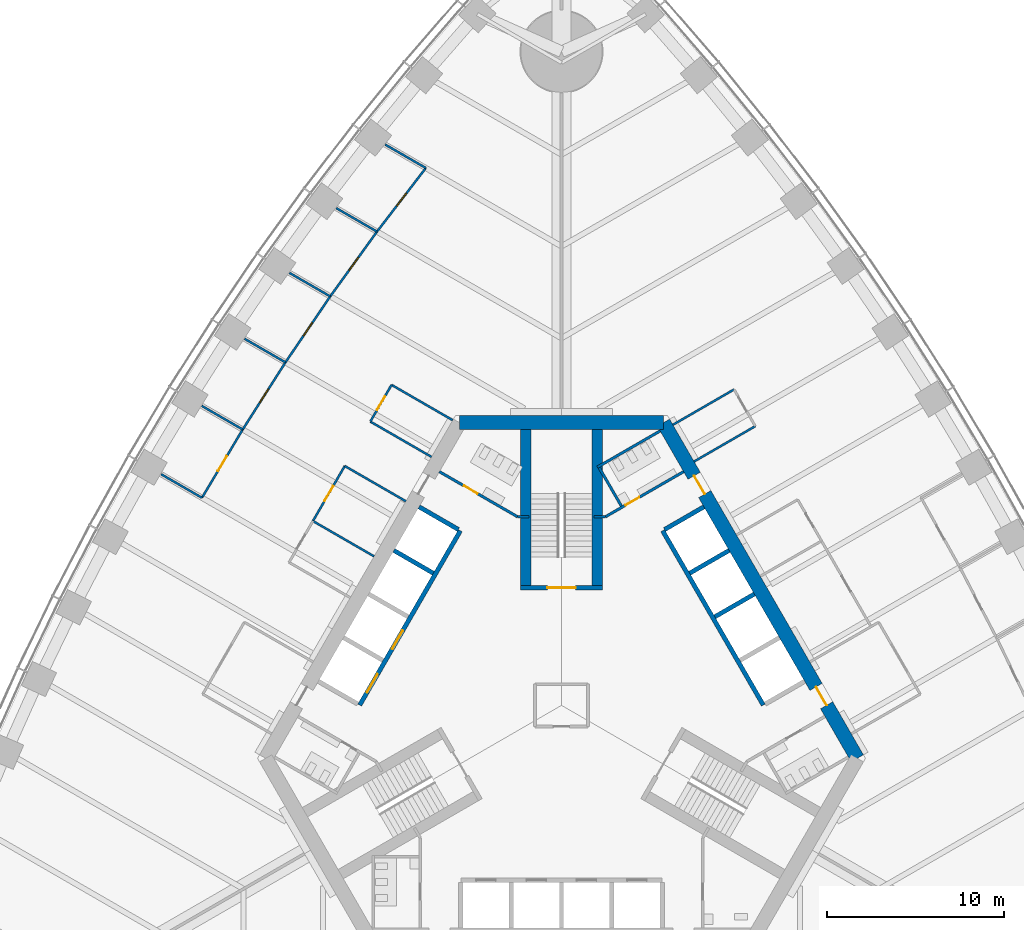
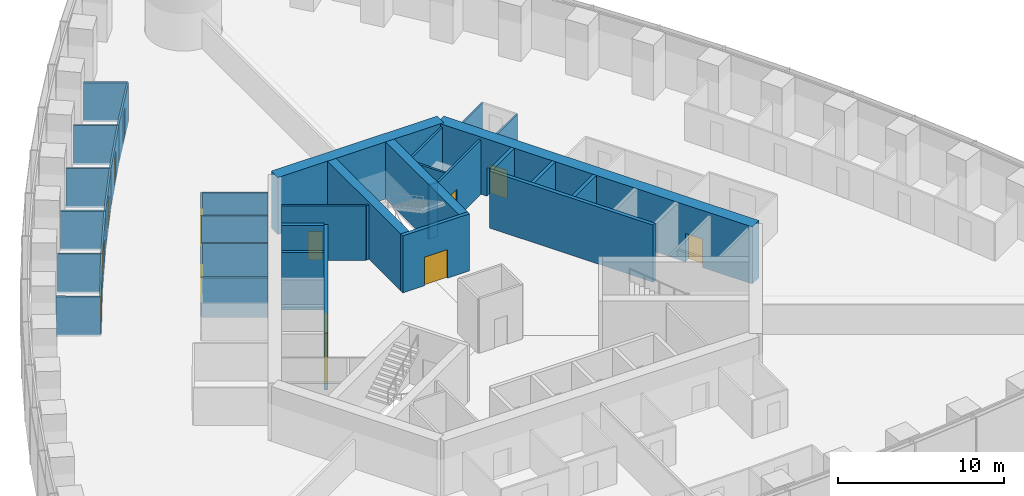
# One storey, part 12 of 18: 37 walls, 14 doors, 14 openings.
"""IFC4 building model written with IfcOpenShell, lengths in metres."""

from ifc_helpers import new_model, si_unit, direction, frame, frame_2d, origin, place, context, subcontext, project, spatial, rectangle, extrude, material, layer, layer_set, type_object, element, fill, save


model = new_model("IFC4")

# Units and contexts
model_context = context("Model", 3, precision=1e-05, world=origin(), true_north=direction((0.0, 1.0)))
body_context = subcontext(model_context, "Body", "Model", "MODEL_VIEW")
ifc_project = project(units=[si_unit("LENGTHUNIT", "METRE"), si_unit("AREAUNIT", "SQUARE_METRE"), si_unit("VOLUMEUNIT", "CUBIC_METRE"), si_unit("PLANEANGLEUNIT", "RADIAN"), si_unit("MASSUNIT", "GRAM", prefix="KILO")], contexts=[model_context])

# Site, building, storey
site_placement = place(None, origin())
site = spatial("IfcSite", under=ifc_project, at=site_placement, CompositionType="ELEMENT")
building_placement = place(site_placement, origin())
building = spatial("IfcBuilding", under=site, at=building_placement, Name="Trefoil Bronze Tower", CompositionType="ELEMENT")
storey_placement = place(building_placement, frame((0.0, 0.0, 29.10009765625)))
storey = spatial("IfcBuildingStorey", under=building, at=storey_placement, Name="L06", CompositionType="ELEMENT", Elevation=29.10009765625)

# Wall, openings, doors
ifc_material_1 = material(Name="Concrete B80", Category="concrete")
ifc_layer_1 = layer(ifc_material_1, 0.800048828125)
ifc_layer_set_1 = layer_set([ifc_layer_1], Name="Core wall 800")
wall_type_1 = type_object("IfcWallType", Name="Core wall 800", PredefinedType="SHEAR", material=ifc_layer_set_1)
wall_1_placement = place(storey_placement, frame((16.7431640625, -3.0, 0.0), z_axis=(0.0, 0.0, 1.0), x_axis=(-0.500002442456, 0.866023993627, 0.0)))
wall_1 = element("IfcWall", 1, at=wall_1_placement, inside=storey, type_object=wall_type_1, Name="Core long wall 2 L06", PredefinedType="SHEAR", context=body_context, shape_type="SweptSolid", body=[
    extrude(rectangle(XDim=21.939453125, YDim=0.800048828125, at=frame_2d((10.9697265625, 0.0))), origin(), (0.0, 0.0, 1.0), 4.199951171875),
])
opening_1_placement = place(wall_1_placement, frame((17.269775390625, 0.0, 0.0)))
opening_1 = element("IfcOpeningElement", 2, at=opening_1_placement, cuts=wall_1, Name="Opening D2", PredefinedType="OPENING", context=body_context, shape_type="SweptSolid", body=[
    extrude(rectangle(XDim=1.199951171875, YDim=2.10009765625, at=frame_2d((0.60009765625, 1.050048828125))), frame((0.0, 0.409912109375, 0.0), z_axis=(0.0, -1.0, 0.0), x_axis=(1.0, 0.0, 0.0)), (0.0, 0.0, 1.0), 0.820068359375),
])
opening_2_placement = place(wall_1_placement, frame((3.4697265625, 0.0, 0.0)))
opening_2 = element("IfcOpeningElement", 3, at=opening_2_placement, cuts=wall_1, Name="Opening D2", PredefinedType="OPENING", context=body_context, shape_type="SweptSolid", body=[
    extrude(rectangle(XDim=1.199951171875, YDim=2.10009765625, at=frame_2d((0.60009765625, 1.050048828125))), frame((0.0, 0.409912109375, 0.0), z_axis=(0.0, -1.0, 0.0), x_axis=(1.0, 0.0, 0.0)), (0.0, 0.0, 1.0), 0.820068359375),
])
ifc_material_2 = material(Name="Steel door", Category="steel")
door_type_1 = type_object("IfcDoorType", Name="Lobby door 1200", OperationType="SINGLE_SWING_RIGHT", PredefinedType="DOOR", material=ifc_material_2)
door_1_placement = place(opening_1_placement, origin())
door_1 = element("IfcDoor", 4, at=door_1_placement, inside=storey, type_object=door_type_1, Name="Lobby door F2+ L06", OperationType="SINGLE_SWING_RIGHT", OverallHeight=2.10009765625, OverallWidth=1.199951171875, PredefinedType="DOOR", context=body_context, shape_type="SweptSolid", body=[
    extrude(rectangle(XDim=1.199951171875, YDim=2.10009765625, at=frame_2d((0.60009765625, 1.050048828125))), frame((0.0, 0.02490234375, 0.0), z_axis=(0.0, -1.0, 0.0), x_axis=(1.0, 0.0, 0.0)), (0.0, 0.0, 1.0), 0.050048828125),
])
fill(opening_1, door_1)
door_2_placement = place(opening_2_placement, origin())
door_2 = element("IfcDoor", 5, at=door_2_placement, inside=storey, type_object=door_type_1, Name="Lobby door F2- L06", OperationType="SINGLE_SWING_LEFT", OverallHeight=2.10009765625, OverallWidth=1.199951171875, PredefinedType="DOOR", context=body_context, shape_type="SweptSolid", body=[
    extrude(rectangle(XDim=1.199951171875, YDim=2.10009765625, at=frame_2d((0.60009765625, 1.050048828125))), frame((0.0, 0.02490234375, 0.0), z_axis=(0.0, -1.0, 0.0), x_axis=(1.0, 0.0, 0.0)), (0.0, 0.0, 1.0), 0.050048828125),
])
fill(opening_2, door_2)

# Walls
wall_2_placement = place(storey_placement, frame((5.7734375, 16.0, 0.0), z_axis=(0.0, 0.0, 1.0), x_axis=(-1.0, 0.0, 0.0)))
element("IfcWall", 6, at=wall_2_placement, inside=storey, type_object=wall_type_1, Name="Core short wall 2 L06", PredefinedType="SHEAR", context=body_context, shape_type="SweptSolid", body=[
    extrude(rectangle(XDim=11.546875, YDim=0.800048828125, at=frame_2d((5.7734375, 0.0))), origin(), (0.0, 0.0, 1.0), 4.199951171875),
])
ifc_material_3 = material(Name="Glazed partition", Category="glass")
ifc_layer_2 = layer(ifc_material_3, 0.1201171875)
ifc_layer_set_2 = layer_set([ifc_layer_2], Name="Glazed partition 120")
wall_type_2 = type_object("IfcWallType", Name="Glazed partition 120", PredefinedType="PARTITIONING", material=ifc_layer_set_2)
for number, where, z_axis, x_axis, name in (
    (7, (6.3046875, 15.8798828125, 0.0), (0.0, 0.0, 1.0), (0.866026010844, 0.49999894854, 0.0), "Partition F2 L06"),
    (8, (7.504638671875, 13.801513671875, 0.0), (0.0, 0.0, 1.0), (0.866026010844, 0.49999894854, 0.0), "Partition F2 L06"),
):
    element("IfcWall", number, at=place(storey_placement, frame(where, z_axis=z_axis, x_axis=x_axis)), inside=storey, type_object=wall_type_2, Name=name, PredefinedType="PARTITIONING", context=body_context, shape_type="SweptSolid", body=[
        extrude(rectangle(XDim=4.0, YDim=0.1201171875, at=frame_2d((2.0, 0.0))), origin(), (0.0, 0.0, 1.0), 2.89990234375),
    ])

# Wall, opening, door
wall_3_placement = place(storey_placement, frame((-9.618896484375, 18.1396484375, 0.0), z_axis=(0.0, 0.0, 1.0), x_axis=(-0.500001309137, -0.866024647952, 0.0)))
wall_3 = element("IfcWall", 9, at=wall_3_placement, inside=storey, type_object=wall_type_2, Name="Partition F3 L06", PredefinedType="PARTITIONING", context=body_context, shape_type="SweptSolid", body=[
    extrude(rectangle(XDim=2.39990234375, YDim=0.1201171875, at=frame_2d((1.199951171875, 0.0))), origin(), (0.0, 0.0, 1.0), 2.89990234375),
])
opening_3_placement = place(wall_3_placement, frame((0.75, 0.0, 0.14990234375)))
opening_3 = element("IfcOpeningElement", 10, at=opening_3_placement, cuts=wall_3, Name="Opening D8", PredefinedType="OPENING", context=body_context, shape_type="SweptSolid", body=[
    extrude(rectangle(XDim=0.89990234375, YDim=2.10009765625, at=frame_2d((0.449951171875, 1.050048828125))), frame((0.0, 0.070068359375, 0.0), z_axis=(0.0, -1.0, 0.0), x_axis=(1.0, 0.0, 0.0)), (0.0, 0.0, 1.0), 0.14013671875),
])
ifc_material_4 = material(Name="Timber door", Category="wood")
door_type_2 = type_object("IfcDoorType", Name="Office door 900", OperationType="SINGLE_SWING_LEFT", PredefinedType="DOOR", material=ifc_material_4)
door_3_placement = place(opening_3_placement, origin())
door_3 = element("IfcDoor", 11, at=door_3_placement, inside=storey, type_object=door_type_2, Name="Comms room door F3 L06", OperationType="SINGLE_SWING_RIGHT", OverallHeight=2.10009765625, OverallWidth=0.89990234375, PredefinedType="DOOR", context=body_context, shape_type="SweptSolid", body=[
    extrude(rectangle(XDim=0.89990234375, YDim=2.10009765625, at=frame_2d((0.449951171875, 1.050048828125))), frame((0.0, 0.02490234375, 0.0), z_axis=(0.0, -1.0, 0.0), x_axis=(1.0, 0.0, 0.0)), (0.0, 0.0, 1.0), 0.050048828125),
])
fill(opening_3, door_3)

wall_4_placement = place(storey_placement, frame((-12.268798828125, 13.5498046875, 0.0), z_axis=(0.0, 0.0, 1.0), x_axis=(-0.500012057535, -0.866018442252, 0.0)))
wall_4 = element("IfcWall", 12, at=wall_4_placement, inside=storey, type_object=wall_type_2, Name="Partition F3 L06", PredefinedType="PARTITIONING", context=body_context, shape_type="SweptSolid", body=[
    extrude(rectangle(XDim=3.60009765625, YDim=0.1201171875, at=frame_2d((1.800048828125, 0.0))), origin(), (0.0, 0.0, 1.0), 2.89990234375),
])
opening_4_placement = place(wall_4_placement, frame((1.300048828125, 0.0, 0.14990234375)))
opening_4 = element("IfcOpeningElement", 13, at=opening_4_placement, cuts=wall_4, Name="Opening D9", PredefinedType="OPENING", context=body_context, shape_type="SweptSolid", body=[
    extrude(rectangle(XDim=1.0, YDim=2.10009765625, at=frame_2d((0.5, 1.050048828125))), frame((0.0, 0.070068359375, 0.0), z_axis=(0.0, -1.0, 0.0), x_axis=(1.0, 0.0, 0.0)), (0.0, 0.0, 1.0), 0.14013671875),
])
ifc_material_5 = material(Name="Glazed timber door", Category="wood")
door_type_3 = type_object("IfcDoorType", Name="Meeting room door 1000", OperationType="SINGLE_SWING_LEFT", PredefinedType="DOOR", material=ifc_material_5)
door_4_placement = place(opening_4_placement, origin())
door_4 = element("IfcDoor", 14, at=door_4_placement, inside=storey, type_object=door_type_3, Name="Meeting room door F3 L06", OperationType="SINGLE_SWING_RIGHT", OverallHeight=2.10009765625, OverallWidth=1.0, PredefinedType="DOOR", context=body_context, shape_type="SweptSolid", body=[
    extrude(rectangle(XDim=1.0, YDim=2.10009765625, at=frame_2d((0.5, 1.050048828125))), frame((0.0, 0.02490234375, 0.0), z_axis=(0.0, -1.0, 0.0), x_axis=(1.0, 0.0, 0.0)), (0.0, 0.0, 1.0), 0.050048828125),
])
fill(opening_4, door_4)

# Walls
for number, where, z_axis, x_axis, name in (
    (15, (-6.15478515625, 16.1396484375, 0.0), (0.0, 0.0, 1.0), (-0.866026010844, 0.49999894854, 0.0), "Partition F3 L06"),
    (16, (-10.604736328125, 8.43212890625, 0.0), (0.0, 0.0, 1.0), (-0.866026010844, 0.49999894854, 0.0), "Partition F3 L06"),
    (17, (-8.8046875, 11.5498046875, 0.0), (0.0, 0.0, 1.0), (-0.866026010844, 0.49999894854, 0.0), "Partition F3 L06"),
    (18, (-7.354736328125, 14.061279296875, 0.0), (0.0, 0.0, 1.0), (-0.866026010844, 0.49999894854, 0.0), "Partition F3 L06"),
):
    element("IfcWall", number, at=place(storey_placement, frame(where, z_axis=z_axis, x_axis=x_axis)), inside=storey, type_object=wall_type_2, Name=name, PredefinedType="PARTITIONING", context=body_context, shape_type="SweptSolid", body=[
        extrude(rectangle(XDim=4.0, YDim=0.1201171875, at=frame_2d((2.0, 0.0))), origin(), (0.0, 0.0, 1.0), 2.89990234375),
    ])

# Wall, opening, door
wall_5_placement = place(storey_placement, frame((-13.090576171875, 23.146240234375, 0.0), z_axis=(0.0, 0.0, 1.0), x_axis=(-0.561512004239, -0.827468591002, 0.0)))
wall_5 = element("IfcWall", 19, at=wall_5_placement, inside=storey, type_object=wall_type_2, Name="Partition F3 L06", PredefinedType="PARTITIONING", context=body_context, shape_type="SweptSolid", body=[
    extrude(rectangle(XDim=4.51171875, YDim=0.1201171875, at=frame_2d((2.255859375, 0.0))), origin(), (0.0, 0.0, 1.0), 2.89990234375),
])
opening_5_placement = place(wall_5_placement, frame((1.800048828125, 0.0, 0.14990234375)))
opening_5 = element("IfcOpeningElement", 20, at=opening_5_placement, cuts=wall_5, Name="Opening D8", PredefinedType="OPENING", context=body_context, shape_type="SweptSolid", body=[
    extrude(rectangle(XDim=0.89990234375, YDim=2.10009765625, at=frame_2d((0.449951171875, 1.050048828125))), frame((0.0, 0.070068359375, 0.0), z_axis=(0.0, -1.0, 0.0), x_axis=(1.0, 0.0, 0.0)), (0.0, 0.0, 1.0), 0.14013671875),
])
door_5_placement = place(opening_5_placement, frame((0.89990234375, 0.0, 0.0), z_axis=(0.0, 0.0, 1.0), x_axis=(-1.0, 0.0, 0.0)))
door_5 = element("IfcDoor", 21, at=door_5_placement, inside=storey, type_object=door_type_2, Name="Office door F3 L06", OperationType="SINGLE_SWING_RIGHT", OverallHeight=2.10009765625, OverallWidth=0.89990234375, PredefinedType="DOOR", context=body_context, shape_type="SweptSolid", body=[
    extrude(rectangle(XDim=0.89990234375, YDim=2.10009765625, at=frame_2d((0.449951171875, 1.050048828125))), frame((0.0, 0.02490234375, 0.0), z_axis=(0.0, -1.0, 0.0), x_axis=(1.0, 0.0, 0.0)), (0.0, 0.0, 1.0), 0.050048828125),
])
fill(opening_5, door_5)

wall_6_placement = place(storey_placement, frame((-10.44287109375, 26.813720703125, 0.0), z_axis=(0.0, 0.0, 1.0), x_axis=(-0.58534077607, -0.810787380187, 0.0)))
wall_6 = element("IfcWall", 22, at=wall_6_placement, inside=storey, type_object=wall_type_2, Name="Partition F3 L06", PredefinedType="PARTITIONING", context=body_context, shape_type="SweptSolid", body=[
    extrude(rectangle(XDim=4.5234375, YDim=0.1201171875, at=frame_2d((2.26171875, 0.0))), origin(), (0.0, 0.0, 1.0), 2.89990234375),
])
opening_6_placement = place(wall_6_placement, frame((1.800048828125, 0.0, 0.14990234375)))
opening_6 = element("IfcOpeningElement", 23, at=opening_6_placement, cuts=wall_6, Name="Opening D8", PredefinedType="OPENING", context=body_context, shape_type="SweptSolid", body=[
    extrude(rectangle(XDim=0.89990234375, YDim=2.10009765625, at=frame_2d((0.449951171875, 1.050048828125))), frame((0.0, 0.070068359375, 0.0), z_axis=(0.0, -1.0, 0.0), x_axis=(1.0, 0.0, 0.0)), (0.0, 0.0, 1.0), 0.14013671875),
])
door_6_placement = place(opening_6_placement, frame((0.89990234375, 0.0, 0.0), z_axis=(0.0, 0.0, 1.0), x_axis=(-1.0, 0.0, 0.0)))
door_6 = element("IfcDoor", 24, at=door_6_placement, inside=storey, type_object=door_type_2, Name="Office door F3 L06", OperationType="SINGLE_SWING_RIGHT", OverallHeight=2.10009765625, OverallWidth=0.89990234375, PredefinedType="DOOR", context=body_context, shape_type="SweptSolid", body=[
    extrude(rectangle(XDim=0.89990234375, YDim=2.10009765625, at=frame_2d((0.449951171875, 1.050048828125))), frame((0.0, 0.02490234375, 0.0), z_axis=(0.0, -1.0, 0.0), x_axis=(1.0, 0.0, 0.0)), (0.0, 0.0, 1.0), 0.050048828125),
])
fill(opening_6, door_6)

wall_7_placement = place(storey_placement, frame((-7.679443359375, 30.41455078125, 0.0), z_axis=(0.0, 0.0, 1.0), x_axis=(-0.608818785139, -0.79330932609, 0.0)))
wall_7 = element("IfcWall", 25, at=wall_7_placement, inside=storey, type_object=wall_type_2, Name="Partition F3 L06", PredefinedType="PARTITIONING", context=body_context, shape_type="SweptSolid", body=[
    extrude(rectangle(XDim=4.5390625, YDim=0.1201171875, at=frame_2d((2.26953125, 0.0))), origin(), (0.0, 0.0, 1.0), 2.89990234375),
])
opening_7_placement = place(wall_7_placement, frame((1.800048828125, 0.0, 0.14990234375)))
opening_7 = element("IfcOpeningElement", 26, at=opening_7_placement, cuts=wall_7, Name="Opening D8", PredefinedType="OPENING", context=body_context, shape_type="SweptSolid", body=[
    extrude(rectangle(XDim=0.89990234375, YDim=2.10009765625, at=frame_2d((0.449951171875, 1.050048828125))), frame((0.0, 0.070068359375, 0.0), z_axis=(0.0, -1.0, 0.0), x_axis=(1.0, 0.0, 0.0)), (0.0, 0.0, 1.0), 0.14013671875),
])
door_7_placement = place(opening_7_placement, frame((0.89990234375, 0.0, 0.0), z_axis=(0.0, 0.0, 1.0), x_axis=(-1.0, 0.0, 0.0)))
door_7 = element("IfcDoor", 27, at=door_7_placement, inside=storey, type_object=door_type_2, Name="Office door F3 L06", OperationType="SINGLE_SWING_RIGHT", OverallHeight=2.10009765625, OverallWidth=0.89990234375, PredefinedType="DOOR", context=body_context, shape_type="SweptSolid", body=[
    extrude(rectangle(XDim=0.89990234375, YDim=2.10009765625, at=frame_2d((0.449951171875, 1.050048828125))), frame((0.0, 0.02490234375, 0.0), z_axis=(0.0, -1.0, 0.0), x_axis=(1.0, 0.0, 0.0)), (0.0, 0.0, 1.0), 0.050048828125),
])
fill(opening_7, door_7)

wall_8_placement = place(storey_placement, frame((-18.0439453125, 15.61376953125, 0.0), z_axis=(0.0, 0.0, 1.0), x_axis=(-0.51252396108, -0.858672923364, 0.0)))
wall_8 = element("IfcWall", 28, at=wall_8_placement, inside=storey, type_object=wall_type_2, Name="Partition F3 L06", PredefinedType="PARTITIONING", context=body_context, shape_type="SweptSolid", body=[
    extrude(rectangle(XDim=4.50048828125, YDim=0.1201171875, at=frame_2d((2.250244140625, 0.0))), origin(), (0.0, 0.0, 1.0), 2.89990234375),
])
opening_8_placement = place(wall_8_placement, frame((1.75, 0.0, 0.14990234375)))
opening_8 = element("IfcOpeningElement", 29, at=opening_8_placement, cuts=wall_8, Name="Opening D9", PredefinedType="OPENING", context=body_context, shape_type="SweptSolid", body=[
    extrude(rectangle(XDim=1.0, YDim=2.10009765625, at=frame_2d((0.5, 1.050048828125))), frame((0.0, 0.070068359375, 0.0), z_axis=(0.0, -1.0, 0.0), x_axis=(1.0, 0.0, 0.0)), (0.0, 0.0, 1.0), 0.14013671875),
])
door_8_placement = place(opening_8_placement, frame((1.0, 0.0, 0.0), z_axis=(0.0, 0.0, 1.0), x_axis=(-1.0, 0.0, 0.0)))
door_8 = element("IfcDoor", 30, at=door_8_placement, inside=storey, type_object=door_type_3, Name="Meeting room door F3 L06", OperationType="SINGLE_SWING_RIGHT", OverallHeight=2.10009765625, OverallWidth=1.0, PredefinedType="DOOR", context=body_context, shape_type="SweptSolid", body=[
    extrude(rectangle(XDim=1.0, YDim=2.10009765625, at=frame_2d((0.5, 1.050048828125))), frame((0.0, 0.02490234375, 0.0), z_axis=(0.0, -1.0, 0.0), x_axis=(1.0, 0.0, 0.0)), (0.0, 0.0, 1.0), 0.050048828125),
])
fill(opening_8, door_8)

wall_9_placement = place(storey_placement, frame((-15.6240234375, 19.412841796875, 0.0), z_axis=(0.0, 0.0, 1.0), x_axis=(-0.537243691336, -0.843427066272, 0.0)))
wall_9 = element("IfcWall", 31, at=wall_9_placement, inside=storey, type_object=wall_type_2, Name="Partition F3 L06", PredefinedType="PARTITIONING", context=body_context, shape_type="SweptSolid", body=[
    extrude(rectangle(XDim=4.50439453125, YDim=0.1201171875, at=frame_2d((2.252197265625, 0.0))), origin(), (0.0, 0.0, 1.0), 2.89990234375),
])
opening_9_placement = place(wall_9_placement, frame((1.800048828125, 0.0, 0.14990234375)))
opening_9 = element("IfcOpeningElement", 32, at=opening_9_placement, cuts=wall_9, Name="Opening D8", PredefinedType="OPENING", context=body_context, shape_type="SweptSolid", body=[
    extrude(rectangle(XDim=0.89990234375, YDim=2.10009765625, at=frame_2d((0.449951171875, 1.050048828125))), frame((0.0, 0.070068359375, 0.0), z_axis=(0.0, -1.0, 0.0), x_axis=(1.0, 0.0, 0.0)), (0.0, 0.0, 1.0), 0.14013671875),
])
door_9_placement = place(opening_9_placement, frame((0.89990234375, 0.0, 0.0), z_axis=(0.0, 0.0, 1.0), x_axis=(-1.0, 0.0, 0.0)))
door_9 = element("IfcDoor", 33, at=door_9_placement, inside=storey, type_object=door_type_2, Name="Office door F3 L06", OperationType="SINGLE_SWING_RIGHT", OverallHeight=2.10009765625, OverallWidth=0.89990234375, PredefinedType="DOOR", context=body_context, shape_type="SweptSolid", body=[
    extrude(rectangle(XDim=0.89990234375, YDim=2.10009765625, at=frame_2d((0.449951171875, 1.050048828125))), frame((0.0, 0.02490234375, 0.0), z_axis=(0.0, -1.0, 0.0), x_axis=(1.0, 0.0, 0.0)), (0.0, 0.0, 1.0), 0.050048828125),
])
fill(opening_9, door_9)

# Walls
wall_10_placement = place(storey_placement, frame((-20.3505859375, 11.749267578125, 0.0), z_axis=(0.0, 0.0, 1.0), x_axis=(-0.865989150234, 0.500062787734, 0.0)))
element("IfcWall", 34, at=wall_10_placement, inside=storey, type_object=wall_type_2, Name="Partition F3 L06", PredefinedType="PARTITIONING", context=body_context, shape_type="SweptSolid", body=[
    extrude(rectangle(XDim=2.670166015625, YDim=0.1201171875, at=frame_2d((1.3349609375, 0.0))), origin(), (0.0, 0.0, 1.0), 2.89990234375),
])
wall_11_placement = place(storey_placement, frame((-13.090576171875, 23.146240234375, 0.0), z_axis=(0.0, 0.0, 1.0), x_axis=(-0.866023818221, 0.500002746266, 0.0)))
element("IfcWall", 35, at=wall_11_placement, inside=storey, type_object=wall_type_2, Name="Partition F3 L06", PredefinedType="PARTITIONING", context=body_context, shape_type="SweptSolid", body=[
    extrude(rectangle(XDim=2.6640625, YDim=0.1201171875, at=frame_2d((1.33203125, 0.0))), origin(), (0.0, 0.0, 1.0), 2.89990234375),
])
wall_12_placement = place(storey_placement, frame((-10.44287109375, 26.813720703125, 0.0), z_axis=(0.0, 0.0, 1.0), x_axis=(-0.866031171652, 0.499990009627, 0.0)))
element("IfcWall", 36, at=wall_12_placement, inside=storey, type_object=wall_type_2, Name="Partition F3 L06", PredefinedType="PARTITIONING", context=body_context, shape_type="SweptSolid", body=[
    extrude(rectangle(XDim=2.6591796875, YDim=0.1201171875, at=frame_2d((1.32958984375, 0.0))), origin(), (0.0, 0.0, 1.0), 2.89990234375),
])
wall_13_placement = place(storey_placement, frame((-7.679443359375, 30.41455078125, 0.0), z_axis=(0.0, 0.0, 1.0), x_axis=(-0.866026229868, 0.499998569178, 0.0)))
element("IfcWall", 37, at=wall_13_placement, inside=storey, type_object=wall_type_2, Name="Partition F3 L06", PredefinedType="PARTITIONING", context=body_context, shape_type="SweptSolid", body=[
    extrude(rectangle(XDim=2.6533203125, YDim=0.1201171875, at=frame_2d((1.32666015625, 0.0))), origin(), (0.0, 0.0, 1.0), 2.89990234375),
])
wall_14_placement = place(storey_placement, frame((-18.0439453125, 15.61376953125, 0.0), z_axis=(0.0, 0.0, 1.0), x_axis=(-0.866022619654, 0.500004822225, 0.0)))
element("IfcWall", 38, at=wall_14_placement, inside=storey, type_object=wall_type_2, Name="Partition F3 L06", PredefinedType="PARTITIONING", context=body_context, shape_type="SweptSolid", body=[
    extrude(rectangle(XDim=2.66943359375, YDim=0.1201171875, at=frame_2d((1.334716796875, 0.0))), origin(), (0.0, 0.0, 1.0), 2.89990234375),
])
wall_15_placement = place(storey_placement, frame((-15.6240234375, 19.412841796875, 0.0), z_axis=(0.0, 0.0, 1.0), x_axis=(-0.866020974757, 0.500007671222, 0.0)))
element("IfcWall", 39, at=wall_15_placement, inside=storey, type_object=wall_type_2, Name="Partition F3 L06", PredefinedType="PARTITIONING", context=body_context, shape_type="SweptSolid", body=[
    extrude(rectangle(XDim=2.66748046875, YDim=0.1201171875, at=frame_2d((1.333740234375, 0.0))), origin(), (0.0, 0.0, 1.0), 2.89990234375),
])

# Wall, opening, door
ifc_material_6 = material(Name="Gypsum board on steel studs", Category="steel")
ifc_layer_3 = layer(ifc_material_6, 0.14990234375)
ifc_layer_set_3 = layer_set([ifc_layer_3], Name="Partition 150")
wall_type_3 = type_object("IfcWallType", Name="Partition 150", PredefinedType="PARTITIONING", material=ifc_layer_set_3)
wall_16_placement = place(storey_placement, frame((2.4951171875, 10.67822265625, 0.0), z_axis=(0.0, 0.0, 1.0), x_axis=(0.86602216432, 0.500005610874, 0.0)))
wall_16 = element("IfcWall", 40, at=wall_16_placement, inside=storey, type_object=wall_type_3, Name="Passage wall F2+ L06", PredefinedType="PARTITIONING", context=body_context, shape_type="SweptSolid", body=[
    extrude(rectangle(XDim=5.10009765625, YDim=0.14990234375, at=frame_2d((2.550048828125, 0.0))), origin(), (0.0, 0.0, 1.0), 4.0),
])
opening_10_placement = place(wall_16_placement, frame((1.300048828125, 0.0, 0.0)))
opening_10 = element("IfcOpeningElement", 41, at=opening_10_placement, cuts=wall_16, Name="Opening D3", PredefinedType="OPENING", context=body_context, shape_type="SweptSolid", body=[
    extrude(rectangle(XDim=0.89990234375, YDim=2.10009765625, at=frame_2d((0.449951171875, 1.050048828125))), frame((0.0, 0.0849609375, 0.0), z_axis=(0.0, -1.0, 0.0), x_axis=(1.0, 0.0, 0.0)), (0.0, 0.0, 1.0), 0.169921875),
])
ifc_material_7 = material(Name="Timber door", Category="wood")
door_type_4 = type_object("IfcDoorType", Name="WC door 900", OperationType="SINGLE_SWING_LEFT", PredefinedType="DOOR", material=ifc_material_7)
door_10_placement = place(opening_10_placement, origin())
door_10 = element("IfcDoor", 42, at=door_10_placement, inside=storey, type_object=door_type_4, Name="WC (men) door L06", OperationType="SINGLE_SWING_LEFT", OverallHeight=2.10009765625, OverallWidth=0.89990234375, PredefinedType="DOOR", context=body_context, shape_type="SweptSolid", body=[
    extrude(rectangle(XDim=0.89990234375, YDim=2.10009765625, at=frame_2d((0.449951171875, 1.050048828125))), frame((0.0, 0.02490234375, 0.0), z_axis=(0.0, -1.0, 0.0), x_axis=(1.0, 0.0, 0.0)), (0.0, 0.0, 1.0), 0.050048828125),
])
fill(opening_10, door_10)

wall_17_placement = place(storey_placement, frame((-2.4951171875, 10.67822265625, 0.0), z_axis=(0.0, 0.0, 1.0), x_axis=(-0.86602216432, 0.500005610874, 0.0)))
wall_17 = element("IfcWall", 43, at=wall_17_placement, inside=storey, type_object=wall_type_3, Name="Passage wall F3- L06", PredefinedType="PARTITIONING", context=body_context, shape_type="SweptSolid", body=[
    extrude(rectangle(XDim=5.10009765625, YDim=0.14990234375, at=frame_2d((2.550048828125, 0.0))), origin(), (0.0, 0.0, 1.0), 4.0),
])
opening_11_placement = place(wall_17_placement, frame((2.60009765625, 0.0, 0.0)))
opening_11 = element("IfcOpeningElement", 44, at=opening_11_placement, cuts=wall_17, Name="Opening D3", PredefinedType="OPENING", context=body_context, shape_type="SweptSolid", body=[
    extrude(rectangle(XDim=0.89990234375, YDim=2.10009765625, at=frame_2d((0.449951171875, 1.050048828125))), frame((0.0, 0.0849609375, 0.0), z_axis=(0.0, -1.0, 0.0), x_axis=(1.0, 0.0, 0.0)), (0.0, 0.0, 1.0), 0.169921875),
])
door_11_placement = place(opening_11_placement, frame((0.89990234375, 0.0, 0.0), z_axis=(0.0, 0.0, 1.0), x_axis=(-1.0, 0.0, 0.0)))
door_11 = element("IfcDoor", 45, at=door_11_placement, inside=storey, type_object=door_type_4, Name="WC (women) door L06", OperationType="SINGLE_SWING_LEFT", OverallHeight=2.10009765625, OverallWidth=0.89990234375, PredefinedType="DOOR", context=body_context, shape_type="SweptSolid", body=[
    extrude(rectangle(XDim=0.89990234375, YDim=2.10009765625, at=frame_2d((0.449951171875, 1.050048828125))), frame((0.0, 0.02490234375, 0.0), z_axis=(0.0, -1.0, 0.0), x_axis=(1.0, 0.0, 0.0)), (0.0, 0.0, 1.0), 0.050048828125),
])
fill(opening_11, door_11)

# Walls
for number, where, z_axis, x_axis, name in (
    (46, (2.4951171875, 10.67822265625, 0.0), (0.0, 0.0, 1.0), (-1.0, 0.0, 0.0), "WC wall ST2-1 L06"),
    (47, (-2.4951171875, 10.67822265625, 0.0), (0.0, 0.0, 1.0), (1.0, 0.0, 0.0), "WC wall ST2+1 L06"),
):
    element("IfcWall", number, at=place(storey_placement, frame(where, z_axis=z_axis, x_axis=x_axis)), inside=storey, type_object=wall_type_3, Name=name, PredefinedType="PARTITIONING", context=body_context, shape_type="SweptSolid", body=[
        extrude(rectangle(XDim=0.64501953125, YDim=0.14990234375, at=frame_2d((0.322509765625, 0.0))), origin(), (0.0, 0.0, 1.0), 4.0),
    ])
wall_18_placement = place(storey_placement, frame((2.03125, 13.48193359375, 0.0), z_axis=(0.0, 0.0, 1.0), x_axis=(0.866050731258, 0.499956128963, 0.0)))
element("IfcWall", 48, at=wall_18_placement, inside=storey, type_object=wall_type_3, Name="WC partition WC (men) L06", PredefinedType="PARTITIONING", context=body_context, shape_type="SweptSolid", body=[
    extrude(rectangle(XDim=4.099853515625, YDim=0.14990234375, at=frame_2d((2.0498046875, 0.0))), origin(), (0.0, 0.0, 1.0), 4.0),
])
wall_19_placement = place(storey_placement, frame((3.388671875, 11.28076171875, 0.0), z_axis=(0.0, 0.0, 1.0), x_axis=(-0.499989096993, 0.866031698547, 0.0)))
element("IfcWall", 49, at=wall_19_placement, inside=storey, type_object=wall_type_3, Name="WC partition WC (men) L06", PredefinedType="PARTITIONING", context=body_context, shape_type="SweptSolid", body=[
    extrude(rectangle(XDim=2.509765625, YDim=0.14990234375, at=frame_2d((1.2548828125, 0.0))), origin(), (0.0, 0.0, 1.0), 4.0),
])
ifc_material_8 = material(Name="Concrete B80", Category="concrete")
ifc_layer_4 = layer(ifc_material_8, 0.25)
ifc_layer_set_4 = layer_set([ifc_layer_4], Name="Shaft wall 250")
wall_type_4 = type_object("IfcWallType", Name="Shaft wall 250", PredefinedType="SHEAR", material=ifc_layer_set_4)
wall_20_placement = place(storey_placement, frame((11.423583984375, 0.013671875, 0.0), z_axis=(0.0, 0.0, 1.0), x_axis=(-0.500001763848, 0.866024385424, 0.0)))
element("IfcWall", 50, at=wall_20_placement, inside=storey, type_object=wall_type_4, Name="Lift shaft front wall B L06", PredefinedType="SHEAR", context=body_context, shape_type="SweptSolid", body=[
    extrude(rectangle(XDim=11.39990234375, YDim=0.25, at=frame_2d((5.699951171875, 0.0))), origin(), (0.0, 0.0, 1.0), 4.199951171875),
])
for number, where, z_axis, x_axis, name in (
    (51, (8.681884765625, 5.012451171875, 0.0), (0.0, 0.0, 1.0), (0.866005588531, 0.500034319456, 0.0), "Lift shaft side wall B2 L06"),
    (52, (7.2568359375, 7.480712890625, 0.0), (0.0, 0.0, 1.0), (0.866046643894, 0.499963209246, 0.0), "Lift shaft side wall B3 L06"),
):
    element("IfcWall", number, at=place(storey_placement, frame(where, z_axis=z_axis, x_axis=x_axis)), inside=storey, type_object=wall_type_4, Name=name, PredefinedType="SHEAR", context=body_context, shape_type="SweptSolid", body=[
        extrude(rectangle(XDim=2.574951171875, YDim=0.25, at=frame_2d((1.28759765625, 0.0))), origin(), (0.0, 0.0, 1.0), 4.199951171875),
    ])
wall_21_placement = place(storey_placement, frame((5.831787109375, 9.94873046875, 0.0), z_axis=(0.0, 0.0, 1.0), x_axis=(0.866029291668, 0.499993265928, 0.0)))
element("IfcWall", 53, at=wall_21_placement, inside=storey, type_object=wall_type_4, Name="Lift shaft side wall B4 L06", PredefinedType="SHEAR", context=body_context, shape_type="SweptSolid", body=[
    extrude(rectangle(XDim=2.5751953125, YDim=0.25, at=frame_2d((1.28759765625, 0.0))), origin(), (0.0, 0.0, 1.0), 4.199951171875),
])

# Wall, openings, doors
wall_22_placement = place(storey_placement, frame((-5.7236328125, 9.88623046875, 0.0), z_axis=(0.0, 0.0, 1.0), x_axis=(-0.500001763848, -0.866024385424, 0.0)))
wall_22 = element("IfcWall", 54, at=wall_22_placement, inside=storey, type_object=wall_type_4, Name="Lift shaft front wall C L06", PredefinedType="SHEAR", context=body_context, shape_type="SweptSolid", body=[
    extrude(rectangle(XDim=11.39990234375, YDim=0.25, at=frame_2d((5.699951171875, 0.0))), origin(), (0.0, 0.0, 1.0), 4.199951171875),
])
opening_12_placement = place(wall_22_placement, frame((6.52490234375, 0.0, 0.0)))
opening_12 = element("IfcOpeningElement", 55, at=opening_12_placement, cuts=wall_22, Name="Opening LD-FL1", PredefinedType="OPENING", context=body_context, shape_type="SweptSolid", body=[
    extrude(rectangle(XDim=1.199951171875, YDim=2.199951171875, at=frame_2d((0.60009765625, 1.10009765625))), frame((0.0, 0.135009765625, 0.0), z_axis=(0.0, -1.0, 0.0), x_axis=(1.0, 0.0, 0.0)), (0.0, 0.0, 1.0), 0.27001953125),
])
opening_13_placement = place(wall_22_placement, frame((9.375, 0.0, 0.0)))
opening_13 = element("IfcOpeningElement", 56, at=opening_13_placement, cuts=wall_22, Name="Opening LD-FL2", PredefinedType="OPENING", context=body_context, shape_type="SweptSolid", body=[
    extrude(rectangle(XDim=1.199951171875, YDim=2.199951171875, at=frame_2d((0.60009765625, 1.10009765625))), frame((0.0, 0.135009765625, 0.0), z_axis=(0.0, -1.0, 0.0), x_axis=(1.0, 0.0, 0.0)), (0.0, 0.0, 1.0), 0.27001953125),
])
ifc_material_9 = material(Name="Steel door", Category="steel")
door_type_5 = type_object("IfcDoorType", Name="Lift landing door 1200", OperationType="DOUBLE_DOOR_SLIDING", PredefinedType="DOOR", material=ifc_material_9)
door_12_placement = place(opening_12_placement, origin())
door_12 = element("IfcDoor", 57, at=door_12_placement, inside=storey, type_object=door_type_5, Name="Lift FL1 landing door L06", OperationType="DOUBLE_DOOR_SLIDING", OverallHeight=2.199951171875, OverallWidth=1.199951171875, PredefinedType="DOOR", context=body_context, shape_type="SweptSolid", body=[
    extrude(rectangle(XDim=1.199951171875, YDim=2.199951171875, at=frame_2d((0.60009765625, 1.10009765625))), frame((0.0, 0.02490234375, 0.0), z_axis=(0.0, -1.0, 0.0), x_axis=(1.0, 0.0, 0.0)), (0.0, 0.0, 1.0), 0.050048828125),
])
fill(opening_12, door_12)
door_13_placement = place(opening_13_placement, origin())
door_13 = element("IfcDoor", 58, at=door_13_placement, inside=storey, type_object=door_type_5, Name="Lift FL2 landing door L06", OperationType="DOUBLE_DOOR_SLIDING", OverallHeight=2.199951171875, OverallWidth=1.199951171875, PredefinedType="DOOR", context=body_context, shape_type="SweptSolid", body=[
    extrude(rectangle(XDim=1.199951171875, YDim=2.199951171875, at=frame_2d((0.60009765625, 1.10009765625))), frame((0.0, 0.02490234375, 0.0), z_axis=(0.0, -1.0, 0.0), x_axis=(1.0, 0.0, 0.0)), (0.0, 0.0, 1.0), 0.050048828125),
])
fill(opening_13, door_13)

# Walls
wall_23_placement = place(storey_placement, frame((-5.831787109375, 9.94873046875, 0.0), z_axis=(0.0, 0.0, 1.0), x_axis=(-0.866029291668, 0.499993265928, 0.0)))
element("IfcWall", 59, at=wall_23_placement, inside=storey, type_object=wall_type_4, Name="Lift shaft side wall C0 L06", PredefinedType="SHEAR", context=body_context, shape_type="SweptSolid", body=[
    extrude(rectangle(XDim=2.5751953125, YDim=0.25, at=frame_2d((1.28759765625, 0.0))), origin(), (0.0, 0.0, 1.0), 4.199951171875),
])
wall_24_placement = place(storey_placement, frame((-7.2568359375, 7.480712890625, 0.0), z_axis=(0.0, 0.0, 1.0), x_axis=(-0.866046643894, 0.499963209246, 0.0)))
element("IfcWall", 60, at=wall_24_placement, inside=storey, type_object=wall_type_4, Name="Lift shaft side wall C1 L06", PredefinedType="SHEAR", context=body_context, shape_type="SweptSolid", body=[
    extrude(rectangle(XDim=2.574951171875, YDim=0.25, at=frame_2d((1.28759765625, 0.0))), origin(), (0.0, 0.0, 1.0), 4.199951171875),
])

# Wall, opening, door
wall_25_placement = place(storey_placement, frame((2.324951171875, 6.64990234375, 0.0), z_axis=(0.0, 0.0, 1.0), x_axis=(-1.0, 0.0, 0.0)))
wall_25 = element("IfcWall", 61, at=wall_25_placement, inside=storey, type_object=wall_type_4, Name="Stair end wall ST2 L06", PredefinedType="SHEAR", context=body_context, shape_type="SweptSolid", body=[
    extrude(rectangle(XDim=4.64990234375, YDim=0.25, at=frame_2d((2.324951171875, 0.0))), origin(), (0.0, 0.0, 1.0), 4.199951171875),
])
opening_14_placement = place(wall_25_placement, frame((1.52490234375, 0.0, 0.0)))
opening_14 = element("IfcOpeningElement", 62, at=opening_14_placement, cuts=wall_25, Name="Opening D1", PredefinedType="OPENING", context=body_context, shape_type="SweptSolid", body=[
    extrude(rectangle(XDim=1.60009765625, YDim=2.10009765625, at=frame_2d((0.800048828125, 1.050048828125))), frame((0.0, 0.135009765625, 0.0), z_axis=(0.0, -1.0, 0.0), x_axis=(1.0, 0.0, 0.0)), (0.0, 0.0, 1.0), 0.27001953125),
])
ifc_material_10 = material(Name="Steel door", Category="steel")
door_type_6 = type_object("IfcDoorType", Name="Stair door 1600", OperationType="DOUBLE_DOOR_SINGLE_SWING", PredefinedType="DOOR", material=ifc_material_10)
door_14_placement = place(opening_14_placement, frame((1.60009765625, 0.0, 0.0), z_axis=(0.0, 0.0, 1.0), x_axis=(-1.0, 0.0, 0.0)))
door_14 = element("IfcDoor", 63, at=door_14_placement, inside=storey, type_object=door_type_6, Name="Stair door ST2 L06", OperationType="DOUBLE_DOOR_SINGLE_SWING", OverallHeight=2.10009765625, OverallWidth=1.60009765625, PredefinedType="DOOR", context=body_context, shape_type="SweptSolid", body=[
    extrude(rectangle(XDim=1.60009765625, YDim=2.10009765625, at=frame_2d((0.800048828125, 1.050048828125))), frame((0.0, 0.02490234375, 0.0), z_axis=(0.0, -1.0, 0.0), x_axis=(1.0, 0.0, 0.0)), (0.0, 0.0, 1.0), 0.050048828125),
])
fill(opening_14, door_14)

# Walls
ifc_material_11 = material(Name="Concrete B80", Category="concrete")
ifc_layer_5 = layer(ifc_material_11, 0.60009765625)
ifc_layer_set_5 = layer_set([ifc_layer_5], Name="Stair wall 600")
wall_type_5 = type_object("IfcWallType", Name="Stair wall 600", PredefinedType="SHEAR", material=ifc_layer_set_5)
for number, where, z_axis, x_axis, name in (
    (64, (2.02490234375, 6.52490234375, 0.0), (0.0, 0.0, 1.0), (0.0, 1.0, 0.0), "Stair wall ST2 L06"),
    (65, (-2.02490234375, 6.52490234375, 0.0), (0.0, 0.0, 1.0), (0.0, 1.0, 0.0), "Stair wall ST2 L06"),
):
    element("IfcWall", number, at=place(storey_placement, frame(where, z_axis=z_axis, x_axis=x_axis)), inside=storey, type_object=wall_type_5, Name=name, PredefinedType="SHEAR", context=body_context, shape_type="SweptSolid", body=[
        extrude(rectangle(XDim=9.0751953125, YDim=0.60009765625, at=frame_2d((4.53759765625, 0.0))), origin(), (0.0, 0.0, 1.0), 4.199951171875),
    ])

save(model, "model.ifc")
